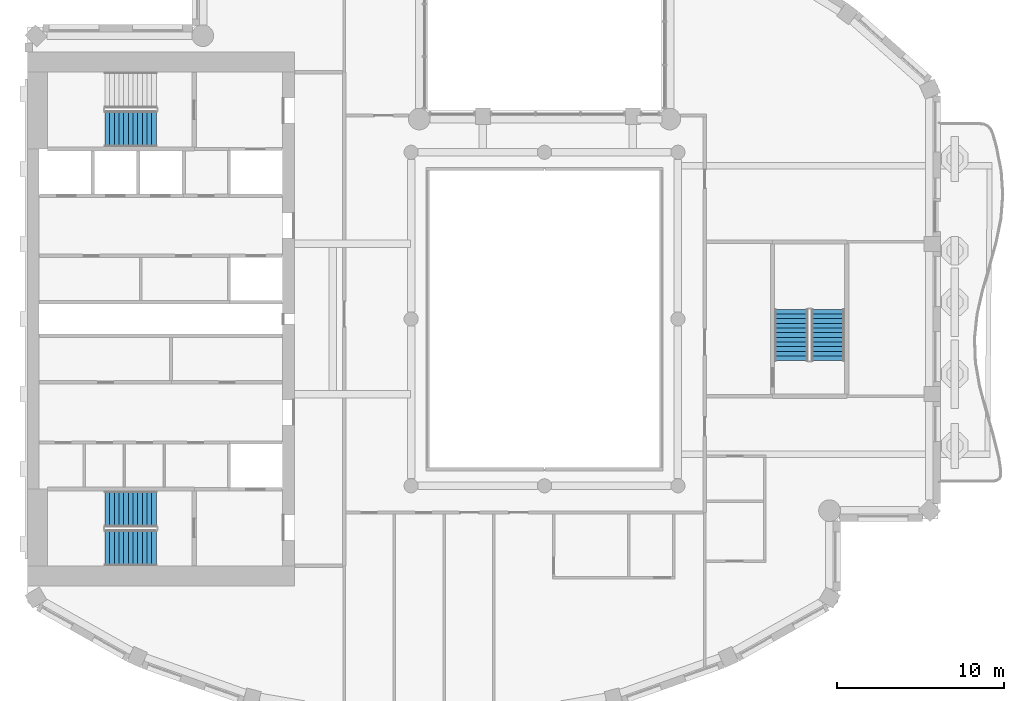
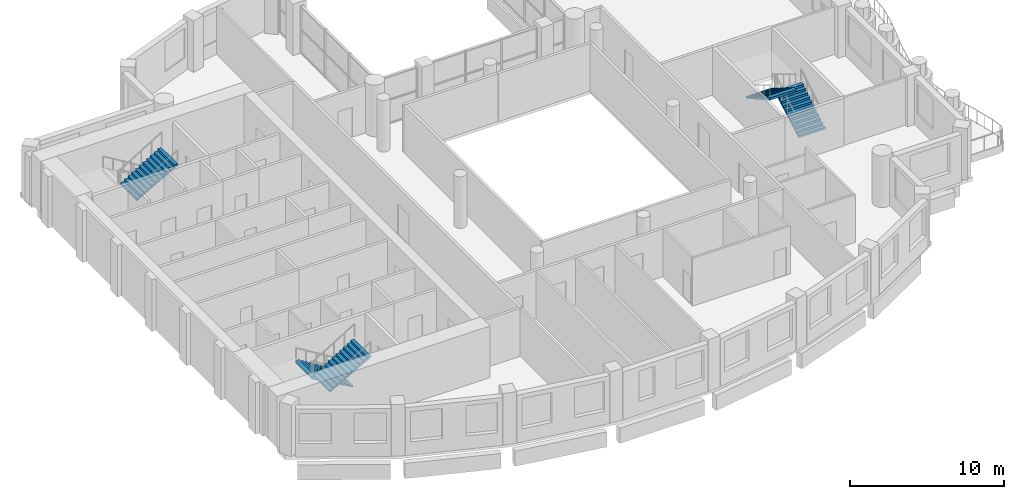
# One storey, part 8 of 14: 5 stair flights, 3 elements without a shape of their own.
"""IFC4 building model written with IfcOpenShell, lengths in metres."""

from ifc_helpers import new_model, si_unit, direction, frame, origin, place, context, subcontext, project, spatial, triangles, material, type_object, element, aggregate, save


model = new_model("IFC4")

# Units and contexts
model_context = context("Model", 3, precision=1e-05, world=origin(), true_north=direction((0.0, 1.0)))
body_context = subcontext(model_context, "Body", "Model", "MODEL_VIEW")
ifc_project = project(units=[si_unit("LENGTHUNIT", "METRE"), si_unit("AREAUNIT", "SQUARE_METRE"), si_unit("VOLUMEUNIT", "CUBIC_METRE"), si_unit("PLANEANGLEUNIT", "RADIAN"), si_unit("MASSUNIT", "GRAM", prefix="KILO")], contexts=[model_context])

# Site, building, storey
site_placement = place(None, origin())
site = spatial("IfcSite", under=ifc_project, at=site_placement, CompositionType="ELEMENT")
building_placement = place(site_placement, origin())
building = spatial("IfcBuilding", under=site, at=building_placement, Name="Cypress Arch Tower", CompositionType="ELEMENT")
storey_placement = place(building_placement, frame((0.0, 0.0, 247.5)))
storey = spatial("IfcBuildingStorey", under=building, at=storey_placement, Name="L55", CompositionType="ELEMENT", Elevation=247.5)

# Stair, stair flights
ifc_material_1 = material(Name="Concrete C40/50", Category="concrete")
stair_type_1 = type_object("IfcStairType", Name="Exit stair ES1708-200", PredefinedType="HALF_TURN_STAIR", material=ifc_material_1)
stair_1_placement = place(storey_placement, origin())
stair_1 = element("IfcStair", 1, at=stair_1_placement, inside=storey, type_object=stair_type_1, Name="L55 Exit stair C", PredefinedType="HALF_TURN_STAIR")
ifc_material_2 = material(Name="Concrete C40/50", Category="concrete")
stair_flight_type_1 = type_object("IfcStairFlightType", Name="Exit stair flight ES1708-200", PredefinedType="STRAIGHT", material=ifc_material_2)
stair_flight_1_placement = place(storey_placement, frame((18.0, -2.5, 0.0), z_axis=(0.0, 0.0, 1.0), x_axis=(0.0, 1.0, 0.0)))
stair_flight_1 = element("IfcStairFlight", 2, at=stair_flight_1_placement, type_object=stair_flight_type_1, Name="C flight 1", NumberOfRisers=12, NumberOfTreads=11, PredefinedType="STRAIGHT", RiserHeight=0.170833333, TreadLength=0.28, context=body_context, shape_type="Tessellation", body=[
    triangles([(0.0, -1.0, 0.0), (0.0, -1.0, 0.1708984375), (0.280029296875, -1.0, 0.1708984375), (0.280029296875, -1.0, 0.341552734375), (0.56005859375, -1.0, 0.341552734375), (0.56005859375, -1.0, 0.512451171875), (0.840087890625, -1.0, 0.512451171875), (0.840087890625, -1.0, 0.683349609375), (1.1201171875, -1.0, 0.683349609375), (1.1201171875, -1.0, 0.854248046875), (1.39990234375, -1.0, 0.854248046875), (1.39990234375, -1.0, 1.02490234375), (1.679931640625, -1.0, 1.02490234375), (1.679931640625, -1.0, 1.19580078125), (1.9599609375, -1.0, 1.19580078125), (1.9599609375, -1.0, 1.36669921875), (2.239990234375, -1.0, 1.36669921875), (2.239990234375, -1.0, 1.53759765625), (2.52001953125, -1.0, 1.53759765625), (2.52001953125, -1.0, 1.708251953125), (2.800048828125, -1.0, 1.708251953125), (2.800048828125, -1.0, 1.879150390625), (3.080078125, -1.0, 1.879150390625), (3.080078125, -1.0, 1.70361328125), (3.080078125, 1.0, 1.70361328125), (3.080078125, 1.0, 1.879150390625), (2.800048828125, 1.0, 1.879150390625), (2.800048828125, 1.0, 1.708251953125), (2.52001953125, 1.0, 1.708251953125), (2.52001953125, 1.0, 1.53759765625), (2.239990234375, 1.0, 1.53759765625), (2.239990234375, 1.0, 1.36669921875), (1.9599609375, 1.0, 1.36669921875), (1.9599609375, 1.0, 1.19580078125), (1.679931640625, 1.0, 1.19580078125), (1.679931640625, 1.0, 1.02490234375), (1.39990234375, 1.0, 1.02490234375), (1.39990234375, 1.0, 0.854248046875), (1.1201171875, 1.0, 0.854248046875), (1.1201171875, 1.0, 0.683349609375), (0.840087890625, 1.0, 0.683349609375), (0.840087890625, 1.0, 0.512451171875), (0.56005859375, 1.0, 0.512451171875), (0.56005859375, 1.0, 0.341552734375), (0.280029296875, 1.0, 0.341552734375), (0.280029296875, 1.0, 0.1708984375), (0.0, 1.0, 0.1708984375), (0.0, 1.0, 0.0), (3.080078125, 0.0, 1.879150390625), (3.080078125, 0.0, 1.70361328125), (2.800048828125, 0.0, 1.879150390625), (2.800048828125, 0.0, 1.708251953125), (2.52001953125, 0.0, 1.708251953125), (2.52001953125, 0.0, 1.53759765625), (2.239990234375, 0.0, 1.53759765625), (2.239990234375, 0.0, 1.36669921875), (1.9599609375, 0.0, 1.36669921875), (1.9599609375, 0.0, 1.19580078125), (1.679931640625, 0.0, 1.19580078125), (1.679931640625, 0.0, 1.02490234375), (1.39990234375, 0.0, 1.02490234375), (1.39990234375, 0.0, 0.854248046875), (1.1201171875, 0.0, 0.854248046875), (1.1201171875, 0.0, 0.683349609375), (0.840087890625, 0.0, 0.683349609375), (0.840087890625, 0.0, 0.512451171875), (0.56005859375, 0.0, 0.512451171875), (0.56005859375, 0.0, 0.341552734375), (0.280029296875, 0.0, 0.341552734375), (0.280029296875, 0.0, 0.1708984375), (0.0, 0.0, 0.1708984375), (0.0, 0.0, 0.0)], [[24, 23, 22], [11, 10, 9], [19, 18, 17], [17, 16, 15], [15, 14, 13], [9, 8, 7], [7, 6, 5], [3, 2, 1], [21, 20, 19], [13, 12, 11], [5, 4, 3], [24, 22, 21], [24, 21, 19], [24, 19, 17], [24, 17, 15], [24, 15, 13], [24, 13, 11], [24, 11, 9], [24, 9, 7], [24, 7, 5], [1, 24, 5], [5, 3, 1], [25, 27, 26], [38, 40, 39], [30, 32, 31], [32, 34, 33], [34, 36, 35], [40, 42, 41], [42, 44, 43], [46, 48, 47], [28, 30, 29], [36, 38, 37], [44, 46, 45], [25, 28, 27], [25, 30, 28], [25, 32, 30], [25, 34, 32], [25, 36, 34], [25, 38, 36], [25, 40, 38], [25, 42, 40], [25, 44, 42], [48, 44, 25], [44, 48, 46], [50, 49, 23], [50, 23, 24], [25, 26, 49], [25, 49, 50], [49, 51, 22], [49, 22, 23], [26, 27, 51], [26, 51, 49], [51, 52, 21], [51, 21, 22], [27, 28, 52], [27, 52, 51], [52, 53, 20], [52, 20, 21], [28, 29, 53], [28, 53, 52], [53, 54, 19], [53, 19, 20], [29, 30, 54], [29, 54, 53], [54, 55, 18], [54, 18, 19], [30, 31, 55], [30, 55, 54], [55, 56, 17], [55, 17, 18], [31, 32, 56], [31, 56, 55], [56, 57, 16], [56, 16, 17], [32, 33, 57], [32, 57, 56], [57, 58, 15], [57, 15, 16], [33, 34, 58], [33, 58, 57], [58, 59, 14], [58, 14, 15], [34, 35, 59], [34, 59, 58], [59, 60, 13], [59, 13, 14], [35, 36, 60], [35, 60, 59], [60, 61, 12], [60, 12, 13], [36, 37, 61], [36, 61, 60], [61, 62, 11], [61, 11, 12], [37, 38, 62], [37, 62, 61], [62, 63, 10], [62, 10, 11], [38, 39, 63], [38, 63, 62], [63, 64, 9], [63, 9, 10], [39, 40, 64], [39, 64, 63], [64, 65, 8], [64, 8, 9], [40, 41, 65], [40, 65, 64], [65, 66, 7], [65, 7, 8], [41, 42, 66], [41, 66, 65], [66, 67, 6], [66, 6, 7], [42, 43, 67], [42, 67, 66], [67, 68, 5], [67, 5, 6], [43, 44, 68], [43, 68, 67], [68, 69, 4], [68, 4, 5], [44, 45, 69], [44, 69, 68], [69, 70, 3], [69, 3, 4], [45, 46, 70], [45, 70, 69], [70, 71, 2], [70, 2, 3], [46, 47, 71], [46, 71, 70], [71, 72, 1], [71, 1, 2], [47, 48, 72], [47, 72, 71], [72, 50, 24], [72, 24, 1], [48, 25, 50], [48, 50, 72]], closed=True),
])
stair_flight_2_placement = place(storey_placement, frame((15.800048828125, 0.580078125, 2.050048828125), z_axis=(0.0, 0.0, 1.0), x_axis=(0.0, -1.0, 0.0)))
stair_flight_2 = element("IfcStairFlight", 3, at=stair_flight_2_placement, type_object=stair_flight_type_1, Name="C flight 2", NumberOfRisers=12, NumberOfTreads=11, PredefinedType="STRAIGHT", RiserHeight=0.170833333, TreadLength=0.28, context=body_context, shape_type="Tessellation", body=[
    triangles([(0.0, -1.0, 0.0), (0.0, -1.0, 0.1708984375), (0.280029296875, -1.0, 0.1708984375), (0.280029296875, -1.0, 0.341552734375), (0.56005859375, -1.0, 0.341552734375), (0.56005859375, -1.0, 0.512451171875), (0.840087890625, -1.0, 0.512451171875), (0.840087890625, -1.0, 0.683349609375), (1.1201171875, -1.0, 0.683349609375), (1.1201171875, -1.0, 0.854248046875), (1.39990234375, -1.0, 0.854248046875), (1.39990234375, -1.0, 1.02490234375), (1.679931640625, -1.0, 1.02490234375), (1.679931640625, -1.0, 1.19580078125), (1.9599609375, -1.0, 1.19580078125), (1.9599609375, -1.0, 1.36669921875), (2.239990234375, -1.0, 1.36669921875), (2.239990234375, -1.0, 1.53759765625), (2.52001953125, -1.0, 1.53759765625), (2.52001953125, -1.0, 1.708251953125), (2.800048828125, -1.0, 1.708251953125), (2.800048828125, -1.0, 1.879150390625), (3.080078125, -1.0, 1.879150390625), (3.080078125, -1.0, 1.70361328125), (3.080078125, 1.0, 1.70361328125), (3.080078125, 1.0, 1.879150390625), (2.800048828125, 1.0, 1.879150390625), (2.800048828125, 1.0, 1.708251953125), (2.52001953125, 1.0, 1.708251953125), (2.52001953125, 1.0, 1.53759765625), (2.239990234375, 1.0, 1.53759765625), (2.239990234375, 1.0, 1.36669921875), (1.9599609375, 1.0, 1.36669921875), (1.9599609375, 1.0, 1.19580078125), (1.679931640625, 1.0, 1.19580078125), (1.679931640625, 1.0, 1.02490234375), (1.39990234375, 1.0, 1.02490234375), (1.39990234375, 1.0, 0.854248046875), (1.1201171875, 1.0, 0.854248046875), (1.1201171875, 1.0, 0.683349609375), (0.840087890625, 1.0, 0.683349609375), (0.840087890625, 1.0, 0.512451171875), (0.56005859375, 1.0, 0.512451171875), (0.56005859375, 1.0, 0.341552734375), (0.280029296875, 1.0, 0.341552734375), (0.280029296875, 1.0, 0.1708984375), (0.0, 1.0, 0.1708984375), (0.0, 1.0, 0.0), (3.080078125, 0.0, 1.879150390625), (3.080078125, 0.0, 1.70361328125), (2.800048828125, 0.0, 1.879150390625), (2.800048828125, 0.0, 1.708251953125), (2.52001953125, 0.0, 1.708251953125), (2.52001953125, 0.0, 1.53759765625), (2.239990234375, 0.0, 1.53759765625), (2.239990234375, 0.0, 1.36669921875), (1.9599609375, 0.0, 1.36669921875), (1.9599609375, 0.0, 1.19580078125), (1.679931640625, 0.0, 1.19580078125), (1.679931640625, 0.0, 1.02490234375), (1.39990234375, 0.0, 1.02490234375), (1.39990234375, 0.0, 0.854248046875), (1.1201171875, 0.0, 0.854248046875), (1.1201171875, 0.0, 0.683349609375), (0.840087890625, 0.0, 0.683349609375), (0.840087890625, 0.0, 0.512451171875), (0.56005859375, 0.0, 0.512451171875), (0.56005859375, 0.0, 0.341552734375), (0.280029296875, 0.0, 0.341552734375), (0.280029296875, 0.0, 0.1708984375), (0.0, 0.0, 0.1708984375), (0.0, 0.0, 0.0)], [[24, 23, 22], [11, 10, 9], [19, 18, 17], [17, 16, 15], [15, 14, 13], [9, 8, 7], [7, 6, 5], [3, 2, 1], [21, 20, 19], [13, 12, 11], [5, 4, 3], [24, 22, 21], [24, 21, 19], [24, 19, 17], [24, 17, 15], [24, 15, 13], [24, 13, 11], [24, 11, 9], [24, 9, 7], [24, 7, 5], [1, 24, 5], [5, 3, 1], [25, 27, 26], [38, 40, 39], [30, 32, 31], [32, 34, 33], [34, 36, 35], [40, 42, 41], [42, 44, 43], [46, 48, 47], [28, 30, 29], [36, 38, 37], [44, 46, 45], [25, 28, 27], [25, 30, 28], [25, 32, 30], [25, 34, 32], [25, 36, 34], [25, 38, 36], [25, 40, 38], [25, 42, 40], [25, 44, 42], [48, 44, 25], [44, 48, 46], [50, 49, 23], [50, 23, 24], [25, 26, 49], [25, 49, 50], [49, 51, 22], [49, 22, 23], [26, 27, 51], [26, 51, 49], [51, 52, 21], [51, 21, 22], [27, 28, 52], [27, 52, 51], [52, 53, 20], [52, 20, 21], [28, 29, 53], [28, 53, 52], [53, 54, 19], [53, 19, 20], [29, 30, 54], [29, 54, 53], [54, 55, 18], [54, 18, 19], [30, 31, 55], [30, 55, 54], [55, 56, 17], [55, 17, 18], [31, 32, 56], [31, 56, 55], [56, 57, 16], [56, 16, 17], [32, 33, 57], [32, 57, 56], [57, 58, 15], [57, 15, 16], [33, 34, 58], [33, 58, 57], [58, 59, 14], [58, 14, 15], [34, 35, 59], [34, 59, 58], [59, 60, 13], [59, 13, 14], [35, 36, 60], [35, 60, 59], [60, 61, 12], [60, 12, 13], [36, 37, 61], [36, 61, 60], [61, 62, 11], [61, 11, 12], [37, 38, 62], [37, 62, 61], [62, 63, 10], [62, 10, 11], [38, 39, 63], [38, 63, 62], [63, 64, 9], [63, 9, 10], [39, 40, 64], [39, 64, 63], [64, 65, 8], [64, 8, 9], [40, 41, 65], [40, 65, 64], [65, 66, 7], [65, 7, 8], [41, 42, 66], [41, 66, 65], [66, 67, 6], [66, 6, 7], [42, 43, 67], [42, 67, 66], [67, 68, 5], [67, 5, 6], [43, 44, 68], [43, 68, 67], [68, 69, 4], [68, 4, 5], [44, 45, 69], [44, 69, 68], [69, 70, 3], [69, 3, 4], [45, 46, 70], [45, 70, 69], [70, 71, 2], [70, 2, 3], [46, 47, 71], [46, 71, 70], [71, 72, 1], [71, 1, 2], [47, 48, 72], [47, 72, 71], [72, 50, 24], [72, 24, 1], [48, 25, 50], [48, 50, 72]], closed=True),
])
aggregate(stair_1, [stair_flight_1, stair_flight_2])

ifc_material_3 = material(Name="Concrete C40/50", Category="concrete")
stair_type_2 = type_object("IfcStairType", Name="Exit stair ES1708-215", PredefinedType="HALF_TURN_STAIR", material=ifc_material_3)
stair_2_placement = place(storey_placement, origin())
stair_2 = element("IfcStair", 4, at=stair_2_placement, inside=storey, type_object=stair_type_2, Name="L55 Exit stair A", PredefinedType="HALF_TURN_STAIR")
ifc_material_4 = material(Name="Concrete C40/50", Category="concrete")
stair_flight_type_2 = type_object("IfcStairFlightType", Name="Exit stair flight ES1708-215", PredefinedType="STRAIGHT", material=ifc_material_4)
stair_flight_3_placement = place(storey_placement, frame((-22.27490234375, -11.39990234375, 0.0), z_axis=(0.0, 0.0, 1.0), x_axis=(-1.0, 0.0, 0.0)))
stair_flight_3 = element("IfcStairFlight", 5, at=stair_flight_3_placement, type_object=stair_flight_type_2, Name="A flight 1", NumberOfRisers=12, NumberOfTreads=11, PredefinedType="STRAIGHT", RiserHeight=0.170833333, TreadLength=0.28, context=body_context, shape_type="Tessellation", body=[
    triangles([(0.0, -1.074951171875, 0.0), (0.000244140625, -1.074951171875, 0.01904296875), (0.000244140625, -1.074951171875, 0.0380859375), (0.00048828125, -1.074951171875, 0.056884765625), (0.00048828125, -1.074951171875, 0.075927734375), (0.00048828125, -1.074951171875, 0.094970703125), (0.00048828125, -1.074951171875, 0.114013671875), (0.000244140625, -1.074951171875, 0.1328125), (0.000244140625, -1.074951171875, 0.15185546875), (0.0, -1.074951171875, 0.1708984375), (0.280029296875, -1.074951171875, 0.1708984375), (0.280029296875, -1.074951171875, 0.341552734375), (0.56005859375, -1.074951171875, 0.341552734375), (0.56005859375, -1.074951171875, 0.512451171875), (0.840087890625, -1.074951171875, 0.512451171875), (0.840087890625, -1.074951171875, 0.683349609375), (1.1201171875, -1.074951171875, 0.683349609375), (1.1201171875, -1.074951171875, 0.854248046875), (1.39990234375, -1.074951171875, 0.854248046875), (1.39990234375, -1.074951171875, 1.02490234375), (1.679931640625, -1.074951171875, 1.02490234375), (1.679931640625, -1.074951171875, 1.19580078125), (1.9599609375, -1.074951171875, 1.19580078125), (1.9599609375, -1.074951171875, 1.36669921875), (2.239990234375, -1.074951171875, 1.36669921875), (2.239990234375, -1.074951171875, 1.53759765625), (2.52001953125, -1.074951171875, 1.53759765625), (2.52001953125, -1.074951171875, 1.708251953125), (2.800048828125, -1.074951171875, 1.708251953125), (2.800048828125, -1.074951171875, 1.879150390625), (3.080078125, -1.074951171875, 1.879150390625), (3.079833984375, -1.074951171875, 1.859619140625), (3.079833984375, -1.074951171875, 1.840087890625), (3.07958984375, -1.074951171875, 1.820556640625), (3.07958984375, -1.074951171875, 1.801025390625), (3.07958984375, -1.074951171875, 1.78173828125), (3.07958984375, -1.074951171875, 1.76220703125), (3.079833984375, -1.074951171875, 1.74267578125), (3.079833984375, -1.074951171875, 1.72314453125), (3.080078125, -1.074951171875, 1.70361328125), (3.080078125, 1.074951171875, 1.70361328125), (3.079833984375, 1.074951171875, 1.72314453125), (3.079833984375, 1.074951171875, 1.74267578125), (3.07958984375, 1.074951171875, 1.76220703125), (3.07958984375, 1.074951171875, 1.78173828125), (3.07958984375, 1.074951171875, 1.801025390625), (3.07958984375, 1.074951171875, 1.820556640625), (3.079833984375, 1.074951171875, 1.840087890625), (3.079833984375, 1.074951171875, 1.859619140625), (3.080078125, 1.074951171875, 1.879150390625), (2.800048828125, 1.074951171875, 1.879150390625), (2.800048828125, 1.074951171875, 1.708251953125), (2.52001953125, 1.074951171875, 1.708251953125), (2.52001953125, 1.074951171875, 1.53759765625), (2.239990234375, 1.074951171875, 1.53759765625), (2.239990234375, 1.074951171875, 1.36669921875), (1.9599609375, 1.074951171875, 1.36669921875), (1.9599609375, 1.074951171875, 1.19580078125), (1.679931640625, 1.074951171875, 1.19580078125), (1.679931640625, 1.074951171875, 1.02490234375), (1.39990234375, 1.074951171875, 1.02490234375), (1.39990234375, 1.074951171875, 0.854248046875), (1.1201171875, 1.074951171875, 0.854248046875), (1.1201171875, 1.074951171875, 0.683349609375), (0.840087890625, 1.074951171875, 0.683349609375), (0.840087890625, 1.074951171875, 0.512451171875), (0.56005859375, 1.074951171875, 0.512451171875), (0.56005859375, 1.074951171875, 0.341552734375), (0.280029296875, 1.074951171875, 0.341552734375), (0.280029296875, 1.074951171875, 0.1708984375), (0.0, 1.074951171875, 0.1708984375), (0.000244140625, 1.074951171875, 0.15185546875), (0.000244140625, 1.074951171875, 0.1328125), (0.00048828125, 1.074951171875, 0.114013671875), (0.00048828125, 1.074951171875, 0.094970703125), (0.00048828125, 1.074951171875, 0.075927734375), (0.00048828125, 1.074951171875, 0.056884765625), (0.000244140625, 1.074951171875, 0.0380859375), (0.000244140625, 1.074951171875, 0.01904296875), (0.0, 1.074951171875, 0.0)], [[40, 39, 30], [39, 38, 30], [38, 37, 30], [37, 36, 30], [36, 35, 30], [35, 34, 30], [34, 33, 30], [33, 32, 30], [32, 31, 30], [19, 18, 17], [27, 26, 25], [25, 24, 23], [23, 22, 21], [17, 16, 15], [15, 14, 13], [10, 9, 11], [9, 8, 11], [8, 7, 11], [7, 6, 11], [6, 5, 11], [5, 4, 11], [4, 3, 11], [3, 2, 11], [2, 1, 11], [29, 28, 27], [21, 20, 19], [13, 12, 11], [40, 30, 29], [40, 29, 27], [40, 27, 25], [40, 25, 23], [40, 23, 21], [40, 21, 19], [40, 19, 17], [40, 17, 15], [40, 15, 13], [1, 40, 13], [13, 11, 1], [41, 51, 42], [42, 51, 43], [43, 51, 44], [44, 51, 45], [45, 51, 46], [46, 51, 47], [47, 51, 48], [48, 51, 49], [49, 51, 50], [62, 64, 63], [54, 56, 55], [56, 58, 57], [58, 60, 59], [64, 66, 65], [66, 68, 67], [71, 70, 72], [72, 70, 73], [73, 70, 74], [74, 70, 75], [75, 70, 76], [76, 70, 77], [77, 70, 78], [78, 70, 79], [79, 70, 80], [52, 54, 53], [60, 62, 61], [68, 70, 69], [41, 52, 51], [41, 54, 52], [41, 56, 54], [41, 58, 56], [41, 60, 58], [41, 62, 60], [41, 64, 62], [41, 66, 64], [41, 68, 66], [80, 68, 41], [68, 80, 70], [41, 42, 39], [41, 39, 40], [42, 43, 38], [42, 38, 39], [43, 44, 37], [43, 37, 38], [44, 45, 36], [44, 36, 37], [45, 46, 35], [45, 35, 36], [46, 47, 34], [46, 34, 35], [47, 48, 33], [47, 33, 34], [48, 49, 32], [48, 32, 33], [49, 50, 31], [49, 31, 32], [50, 51, 30], [50, 30, 31], [51, 52, 29], [51, 29, 30], [52, 53, 28], [52, 28, 29], [53, 54, 27], [53, 27, 28], [54, 55, 26], [54, 26, 27], [55, 56, 25], [55, 25, 26], [56, 57, 24], [56, 24, 25], [57, 58, 23], [57, 23, 24], [58, 59, 22], [58, 22, 23], [59, 60, 21], [59, 21, 22], [60, 61, 20], [60, 20, 21], [61, 62, 19], [61, 19, 20], [62, 63, 18], [62, 18, 19], [63, 64, 17], [63, 17, 18], [64, 65, 16], [64, 16, 17], [65, 66, 15], [65, 15, 16], [66, 67, 14], [66, 14, 15], [67, 68, 13], [67, 13, 14], [68, 69, 12], [68, 12, 13], [69, 70, 11], [69, 11, 12], [70, 71, 10], [70, 10, 11], [71, 72, 9], [71, 9, 10], [72, 73, 8], [72, 8, 9], [73, 74, 7], [73, 7, 8], [74, 75, 6], [74, 6, 7], [75, 76, 5], [75, 5, 6], [76, 77, 4], [76, 4, 5], [77, 78, 3], [77, 3, 4], [78, 79, 2], [78, 2, 3], [79, 80, 1], [79, 1, 2], [80, 41, 40], [80, 40, 1]], closed=True),
])
stair_flight_4_placement = place(storey_placement, frame((-25.35498046875, -13.72509765625, 2.050048828125), z_axis=(0.0, 0.0, 1.0), x_axis=(1.0, 0.0, 0.0)))
stair_flight_4 = element("IfcStairFlight", 6, at=stair_flight_4_placement, type_object=stair_flight_type_2, Name="A flight 2", NumberOfRisers=12, NumberOfTreads=11, PredefinedType="STRAIGHT", RiserHeight=0.170833333, TreadLength=0.28, context=body_context, shape_type="Tessellation", body=[
    triangles([(0.0, -1.074951171875, 0.0), (0.000244140625, -1.074951171875, 0.01904296875), (0.000244140625, -1.074951171875, 0.0380859375), (0.00048828125, -1.074951171875, 0.056884765625), (0.00048828125, -1.074951171875, 0.075927734375), (0.00048828125, -1.074951171875, 0.094970703125), (0.00048828125, -1.074951171875, 0.114013671875), (0.000244140625, -1.074951171875, 0.1328125), (0.000244140625, -1.074951171875, 0.15185546875), (0.0, -1.074951171875, 0.1708984375), (0.280029296875, -1.074951171875, 0.1708984375), (0.280029296875, -1.074951171875, 0.341552734375), (0.56005859375, -1.074951171875, 0.341552734375), (0.56005859375, -1.074951171875, 0.512451171875), (0.840087890625, -1.074951171875, 0.512451171875), (0.840087890625, -1.074951171875, 0.683349609375), (1.1201171875, -1.074951171875, 0.683349609375), (1.1201171875, -1.074951171875, 0.854248046875), (1.39990234375, -1.074951171875, 0.854248046875), (1.39990234375, -1.074951171875, 1.02490234375), (1.679931640625, -1.074951171875, 1.02490234375), (1.679931640625, -1.074951171875, 1.19580078125), (1.9599609375, -1.074951171875, 1.19580078125), (1.9599609375, -1.074951171875, 1.36669921875), (2.239990234375, -1.074951171875, 1.36669921875), (2.239990234375, -1.074951171875, 1.53759765625), (2.52001953125, -1.074951171875, 1.53759765625), (2.52001953125, -1.074951171875, 1.708251953125), (2.800048828125, -1.074951171875, 1.708251953125), (2.800048828125, -1.074951171875, 1.879150390625), (3.080078125, -1.074951171875, 1.879150390625), (3.079833984375, -1.074951171875, 1.859619140625), (3.079833984375, -1.074951171875, 1.840087890625), (3.07958984375, -1.074951171875, 1.820556640625), (3.07958984375, -1.074951171875, 1.801025390625), (3.07958984375, -1.074951171875, 1.78173828125), (3.07958984375, -1.074951171875, 1.76220703125), (3.079833984375, -1.074951171875, 1.74267578125), (3.079833984375, -1.074951171875, 1.72314453125), (3.080078125, -1.074951171875, 1.70361328125), (3.080078125, 1.074951171875, 1.70361328125), (3.079833984375, 1.074951171875, 1.72314453125), (3.079833984375, 1.074951171875, 1.74267578125), (3.07958984375, 1.074951171875, 1.76220703125), (3.07958984375, 1.074951171875, 1.78173828125), (3.07958984375, 1.074951171875, 1.801025390625), (3.07958984375, 1.074951171875, 1.820556640625), (3.079833984375, 1.074951171875, 1.840087890625), (3.079833984375, 1.074951171875, 1.859619140625), (3.080078125, 1.074951171875, 1.879150390625), (2.800048828125, 1.074951171875, 1.879150390625), (2.800048828125, 1.074951171875, 1.708251953125), (2.52001953125, 1.074951171875, 1.708251953125), (2.52001953125, 1.074951171875, 1.53759765625), (2.239990234375, 1.074951171875, 1.53759765625), (2.239990234375, 1.074951171875, 1.36669921875), (1.9599609375, 1.074951171875, 1.36669921875), (1.9599609375, 1.074951171875, 1.19580078125), (1.679931640625, 1.074951171875, 1.19580078125), (1.679931640625, 1.074951171875, 1.02490234375), (1.39990234375, 1.074951171875, 1.02490234375), (1.39990234375, 1.074951171875, 0.854248046875), (1.1201171875, 1.074951171875, 0.854248046875), (1.1201171875, 1.074951171875, 0.683349609375), (0.840087890625, 1.074951171875, 0.683349609375), (0.840087890625, 1.074951171875, 0.512451171875), (0.56005859375, 1.074951171875, 0.512451171875), (0.56005859375, 1.074951171875, 0.341552734375), (0.280029296875, 1.074951171875, 0.341552734375), (0.280029296875, 1.074951171875, 0.1708984375), (0.0, 1.074951171875, 0.1708984375), (0.000244140625, 1.074951171875, 0.15185546875), (0.000244140625, 1.074951171875, 0.1328125), (0.00048828125, 1.074951171875, 0.114013671875), (0.00048828125, 1.074951171875, 0.094970703125), (0.00048828125, 1.074951171875, 0.075927734375), (0.00048828125, 1.074951171875, 0.056884765625), (0.000244140625, 1.074951171875, 0.0380859375), (0.000244140625, 1.074951171875, 0.01904296875), (0.0, 1.074951171875, 0.0)], [[40, 39, 30], [39, 38, 30], [38, 37, 30], [37, 36, 30], [36, 35, 30], [35, 34, 30], [34, 33, 30], [33, 32, 30], [32, 31, 30], [19, 18, 17], [27, 26, 25], [25, 24, 23], [23, 22, 21], [17, 16, 15], [15, 14, 13], [10, 9, 11], [9, 8, 11], [8, 7, 11], [7, 6, 11], [6, 5, 11], [5, 4, 11], [4, 3, 11], [3, 2, 11], [2, 1, 11], [29, 28, 27], [21, 20, 19], [13, 12, 11], [40, 30, 29], [40, 29, 27], [40, 27, 25], [40, 25, 23], [40, 23, 21], [40, 21, 19], [40, 19, 17], [40, 17, 15], [40, 15, 13], [1, 40, 13], [13, 11, 1], [41, 51, 42], [42, 51, 43], [43, 51, 44], [44, 51, 45], [45, 51, 46], [46, 51, 47], [47, 51, 48], [48, 51, 49], [49, 51, 50], [62, 64, 63], [54, 56, 55], [56, 58, 57], [58, 60, 59], [64, 66, 65], [66, 68, 67], [71, 70, 72], [72, 70, 73], [73, 70, 74], [74, 70, 75], [75, 70, 76], [76, 70, 77], [77, 70, 78], [78, 70, 79], [79, 70, 80], [52, 54, 53], [60, 62, 61], [68, 70, 69], [41, 52, 51], [41, 54, 52], [41, 56, 54], [41, 58, 56], [41, 60, 58], [41, 62, 60], [41, 64, 62], [41, 66, 64], [41, 68, 66], [80, 68, 41], [68, 80, 70], [41, 42, 39], [41, 39, 40], [42, 43, 38], [42, 38, 39], [43, 44, 37], [43, 37, 38], [44, 45, 36], [44, 36, 37], [45, 46, 35], [45, 35, 36], [46, 47, 34], [46, 34, 35], [47, 48, 33], [47, 33, 34], [48, 49, 32], [48, 32, 33], [49, 50, 31], [49, 31, 32], [50, 51, 30], [50, 30, 31], [51, 52, 29], [51, 29, 30], [52, 53, 28], [52, 28, 29], [53, 54, 27], [53, 27, 28], [54, 55, 26], [54, 26, 27], [55, 56, 25], [55, 25, 26], [56, 57, 24], [56, 24, 25], [57, 58, 23], [57, 23, 24], [58, 59, 22], [58, 22, 23], [59, 60, 21], [59, 21, 22], [60, 61, 20], [60, 20, 21], [61, 62, 19], [61, 19, 20], [62, 63, 18], [62, 18, 19], [63, 64, 17], [63, 17, 18], [64, 65, 16], [64, 16, 17], [65, 66, 15], [65, 15, 16], [66, 67, 14], [66, 14, 15], [67, 68, 13], [67, 13, 14], [68, 69, 12], [68, 12, 13], [69, 70, 11], [69, 11, 12], [70, 71, 10], [70, 10, 11], [71, 72, 9], [71, 9, 10], [72, 73, 8], [72, 8, 9], [73, 74, 7], [73, 7, 8], [74, 75, 6], [74, 6, 7], [75, 76, 5], [75, 5, 6], [76, 77, 4], [76, 4, 5], [77, 78, 3], [77, 3, 4], [78, 79, 2], [78, 2, 3], [79, 80, 1], [79, 1, 2], [80, 41, 40], [80, 40, 1]], closed=True),
])
aggregate(stair_2, [stair_flight_3, stair_flight_4])

# Stair, stair flight
stair_3_placement = place(storey_placement, origin())
stair_3 = element("IfcStair", 7, at=stair_3_placement, inside=storey, type_object=stair_type_2, Name="L55 Exit stair B", PredefinedType="HALF_TURN_STAIR")
stair_flight_5_placement = place(storey_placement, frame((-25.35498046875, 11.39990234375, 2.050048828125), z_axis=(0.0, 0.0, 1.0), x_axis=(1.0, 0.0, 0.0)))
stair_flight_5 = element("IfcStairFlight", 8, at=stair_flight_5_placement, type_object=stair_flight_type_2, Name="B flight 2", NumberOfRisers=12, NumberOfTreads=11, PredefinedType="STRAIGHT", RiserHeight=0.170833333, TreadLength=0.28, context=body_context, shape_type="Tessellation", body=[
    triangles([(0.0, -1.074951171875, 0.0), (0.000244140625, -1.074951171875, 0.01904296875), (0.000244140625, -1.074951171875, 0.0380859375), (0.00048828125, -1.074951171875, 0.056884765625), (0.00048828125, -1.074951171875, 0.075927734375), (0.00048828125, -1.074951171875, 0.094970703125), (0.00048828125, -1.074951171875, 0.114013671875), (0.000244140625, -1.074951171875, 0.1328125), (0.000244140625, -1.074951171875, 0.15185546875), (0.0, -1.074951171875, 0.1708984375), (0.280029296875, -1.074951171875, 0.1708984375), (0.280029296875, -1.074951171875, 0.341552734375), (0.56005859375, -1.074951171875, 0.341552734375), (0.56005859375, -1.074951171875, 0.512451171875), (0.840087890625, -1.074951171875, 0.512451171875), (0.840087890625, -1.074951171875, 0.683349609375), (1.1201171875, -1.074951171875, 0.683349609375), (1.1201171875, -1.074951171875, 0.854248046875), (1.39990234375, -1.074951171875, 0.854248046875), (1.39990234375, -1.074951171875, 1.02490234375), (1.679931640625, -1.074951171875, 1.02490234375), (1.679931640625, -1.074951171875, 1.19580078125), (1.9599609375, -1.074951171875, 1.19580078125), (1.9599609375, -1.074951171875, 1.36669921875), (2.239990234375, -1.074951171875, 1.36669921875), (2.239990234375, -1.074951171875, 1.53759765625), (2.52001953125, -1.074951171875, 1.53759765625), (2.52001953125, -1.074951171875, 1.708251953125), (2.800048828125, -1.074951171875, 1.708251953125), (2.800048828125, -1.074951171875, 1.879150390625), (3.080078125, -1.074951171875, 1.879150390625), (3.079833984375, -1.074951171875, 1.859619140625), (3.079833984375, -1.074951171875, 1.840087890625), (3.07958984375, -1.074951171875, 1.820556640625), (3.07958984375, -1.074951171875, 1.801025390625), (3.07958984375, -1.074951171875, 1.78173828125), (3.07958984375, -1.074951171875, 1.76220703125), (3.079833984375, -1.074951171875, 1.74267578125), (3.079833984375, -1.074951171875, 1.72314453125), (3.080078125, -1.074951171875, 1.70361328125), (3.080078125, 1.074951171875, 1.70361328125), (3.079833984375, 1.074951171875, 1.72314453125), (3.079833984375, 1.074951171875, 1.74267578125), (3.07958984375, 1.074951171875, 1.76220703125), (3.07958984375, 1.074951171875, 1.78173828125), (3.07958984375, 1.074951171875, 1.801025390625), (3.07958984375, 1.074951171875, 1.820556640625), (3.079833984375, 1.074951171875, 1.840087890625), (3.079833984375, 1.074951171875, 1.859619140625), (3.080078125, 1.074951171875, 1.879150390625), (2.800048828125, 1.074951171875, 1.879150390625), (2.800048828125, 1.074951171875, 1.708251953125), (2.52001953125, 1.074951171875, 1.708251953125), (2.52001953125, 1.074951171875, 1.53759765625), (2.239990234375, 1.074951171875, 1.53759765625), (2.239990234375, 1.074951171875, 1.36669921875), (1.9599609375, 1.074951171875, 1.36669921875), (1.9599609375, 1.074951171875, 1.19580078125), (1.679931640625, 1.074951171875, 1.19580078125), (1.679931640625, 1.074951171875, 1.02490234375), (1.39990234375, 1.074951171875, 1.02490234375), (1.39990234375, 1.074951171875, 0.854248046875), (1.1201171875, 1.074951171875, 0.854248046875), (1.1201171875, 1.074951171875, 0.683349609375), (0.840087890625, 1.074951171875, 0.683349609375), (0.840087890625, 1.074951171875, 0.512451171875), (0.56005859375, 1.074951171875, 0.512451171875), (0.56005859375, 1.074951171875, 0.341552734375), (0.280029296875, 1.074951171875, 0.341552734375), (0.280029296875, 1.074951171875, 0.1708984375), (0.0, 1.074951171875, 0.1708984375), (0.000244140625, 1.074951171875, 0.15185546875), (0.000244140625, 1.074951171875, 0.1328125), (0.00048828125, 1.074951171875, 0.114013671875), (0.00048828125, 1.074951171875, 0.094970703125), (0.00048828125, 1.074951171875, 0.075927734375), (0.00048828125, 1.074951171875, 0.056884765625), (0.000244140625, 1.074951171875, 0.0380859375), (0.000244140625, 1.074951171875, 0.01904296875), (0.0, 1.074951171875, 0.0)], [[40, 39, 30], [39, 38, 30], [38, 37, 30], [37, 36, 30], [36, 35, 30], [35, 34, 30], [34, 33, 30], [33, 32, 30], [32, 31, 30], [19, 18, 17], [27, 26, 25], [25, 24, 23], [23, 22, 21], [17, 16, 15], [15, 14, 13], [10, 9, 11], [9, 8, 11], [8, 7, 11], [7, 6, 11], [6, 5, 11], [5, 4, 11], [4, 3, 11], [3, 2, 11], [2, 1, 11], [29, 28, 27], [21, 20, 19], [13, 12, 11], [40, 30, 29], [40, 29, 27], [40, 27, 25], [40, 25, 23], [40, 23, 21], [40, 21, 19], [40, 19, 17], [40, 17, 15], [40, 15, 13], [1, 40, 13], [13, 11, 1], [41, 51, 42], [42, 51, 43], [43, 51, 44], [44, 51, 45], [45, 51, 46], [46, 51, 47], [47, 51, 48], [48, 51, 49], [49, 51, 50], [62, 64, 63], [54, 56, 55], [56, 58, 57], [58, 60, 59], [64, 66, 65], [66, 68, 67], [71, 70, 72], [72, 70, 73], [73, 70, 74], [74, 70, 75], [75, 70, 76], [76, 70, 77], [77, 70, 78], [78, 70, 79], [79, 70, 80], [52, 54, 53], [60, 62, 61], [68, 70, 69], [41, 52, 51], [41, 54, 52], [41, 56, 54], [41, 58, 56], [41, 60, 58], [41, 62, 60], [41, 64, 62], [41, 66, 64], [41, 68, 66], [80, 68, 41], [68, 80, 70], [41, 42, 39], [41, 39, 40], [42, 43, 38], [42, 38, 39], [43, 44, 37], [43, 37, 38], [44, 45, 36], [44, 36, 37], [45, 46, 35], [45, 35, 36], [46, 47, 34], [46, 34, 35], [47, 48, 33], [47, 33, 34], [48, 49, 32], [48, 32, 33], [49, 50, 31], [49, 31, 32], [50, 51, 30], [50, 30, 31], [51, 52, 29], [51, 29, 30], [52, 53, 28], [52, 28, 29], [53, 54, 27], [53, 27, 28], [54, 55, 26], [54, 26, 27], [55, 56, 25], [55, 25, 26], [56, 57, 24], [56, 24, 25], [57, 58, 23], [57, 23, 24], [58, 59, 22], [58, 22, 23], [59, 60, 21], [59, 21, 22], [60, 61, 20], [60, 20, 21], [61, 62, 19], [61, 19, 20], [62, 63, 18], [62, 18, 19], [63, 64, 17], [63, 17, 18], [64, 65, 16], [64, 16, 17], [65, 66, 15], [65, 15, 16], [66, 67, 14], [66, 14, 15], [67, 68, 13], [67, 13, 14], [68, 69, 12], [68, 12, 13], [69, 70, 11], [69, 11, 12], [70, 71, 10], [70, 10, 11], [71, 72, 9], [71, 9, 10], [72, 73, 8], [72, 8, 9], [73, 74, 7], [73, 7, 8], [74, 75, 6], [74, 6, 7], [75, 76, 5], [75, 5, 6], [76, 77, 4], [76, 4, 5], [77, 78, 3], [77, 3, 4], [78, 79, 2], [78, 2, 3], [79, 80, 1], [79, 1, 2], [80, 41, 40], [80, 40, 1]], closed=True),
])
aggregate(stair_3, [stair_flight_5])

save(model, "model.ifc")
